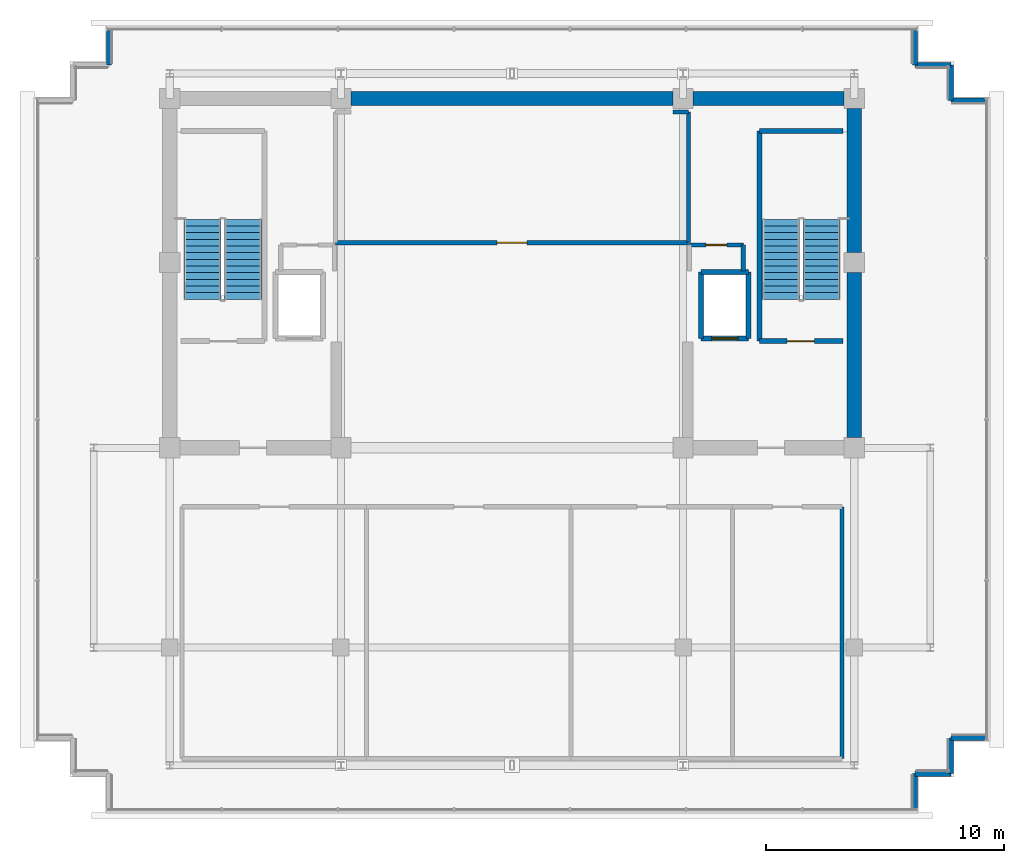
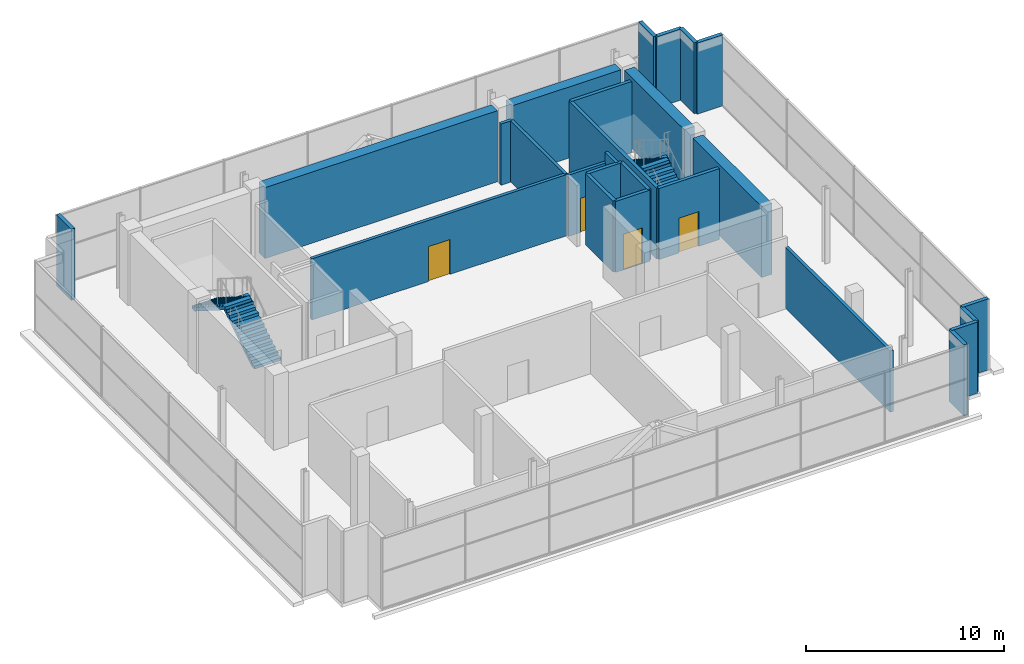
# One storey, part 25 of 28: 26 walls, 4 doors, 4 stair flights, 4 openings, 2 elements without a shape of their own.
"""IFC4 building model written with IfcOpenShell, lengths in metres."""

from ifc_helpers import new_model, si_unit, direction, frame, frame_2d, origin, place, context, subcontext, project, spatial, polyline, rectangle, outline, extrude, source, transform, mapped, material, layer, layer_set, type_object, element, fill, aggregate, save


model = new_model("IFC4")

# Units and contexts
model_context = context("Model", 3, precision=1e-05, world=origin(), true_north=direction((0.0, 1.0)))
body_context = subcontext(model_context, "Body", "Model", "MODEL_VIEW")
ifc_project = project(units=[si_unit("LENGTHUNIT", "METRE"), si_unit("AREAUNIT", "SQUARE_METRE"), si_unit("VOLUMEUNIT", "CUBIC_METRE"), si_unit("PLANEANGLEUNIT", "RADIAN"), si_unit("MASSUNIT", "GRAM", prefix="KILO")], contexts=[model_context])

# Site, building, storey
site_placement = place(None, origin())
site = spatial("IfcSite", under=ifc_project, at=site_placement, CompositionType="ELEMENT")
building_placement = place(site_placement, origin())
building = spatial("IfcBuilding", under=site, at=building_placement, Name="Zarnakvel Exchange Tower", CompositionType="ELEMENT")
storey_placement = place(building_placement, frame((0.0, 0.0, 276.199951171875)))
storey = spatial("IfcBuildingStorey", under=building, at=storey_placement, Name="Crown L78", CompositionType="ELEMENT", Elevation=276.199951171875)

# Walls
ifc_material_1 = material(Name="Concrete C50/60", Category="concrete")
ifc_layer_1 = layer(ifc_material_1, 0.60009765625)
ifc_layer_set_1 = layer_set([ifc_layer_1], Name="Concrete C50/60")
wall_type_1 = type_object("IfcWallType", Name="CW-C5", PredefinedType="SHEAR", material=ifc_layer_set_1)
wall_1_placement = place(storey_placement, frame((-6.77490234375, 13.5, 0.0), z_axis=(0.0, 0.0, 1.0), x_axis=(1.0, 0.0, 0.0)))
element("IfcWall", 1, at=wall_1_placement, inside=storey, type_object=wall_type_1, Name="Crown L78 Rear Core Shear Wall N2 (CW-C5)", PredefinedType="SHEAR", context=body_context, shape_type="SweptSolid", body=[
    extrude(rectangle(XDim=13.5498046875, YDim=0.60009765625, at=frame_2d((6.77490234375, 0.0))), origin(), (0.0, 0.0, 1.0), 4.380126953125),
])
wall_2_placement = place(storey_placement, frame((7.625, 13.5, 0.0), z_axis=(0.0, 0.0, 1.0), x_axis=(1.0, 0.0, 0.0)))
element("IfcWall", 2, at=wall_2_placement, inside=storey, type_object=wall_type_1, Name="Crown L78 Rear Core Shear Wall N3 (CW-C5)", PredefinedType="SHEAR", context=body_context, shape_type="SweptSolid", body=[
    extrude(rectangle(XDim=6.35009765625, YDim=0.60009765625, at=frame_2d((3.175048828125, 0.0))), origin(), (0.0, 0.0, 1.0), 4.380126953125),
])
wall_3_placement = place(storey_placement, frame((14.39990234375, -0.77490234375, 0.0), z_axis=(0.0, 0.0, 1.0), x_axis=(0.0, 1.0, 0.0)))
element("IfcWall", 3, at=wall_3_placement, inside=storey, type_object=wall_type_1, Name="Crown L78 Rear Core Shear Wall E1 (CW-C5)", PredefinedType="SHEAR", context=body_context, shape_type="SweptSolid", body=[
    extrude(rectangle(XDim=6.949951171875, YDim=0.60009765625, at=frame_2d((3.47509765625, 0.0))), origin(), (0.0, 0.0, 1.0), 4.380126953125),
])
wall_4_placement = place(storey_placement, frame((14.39990234375, 7.02490234375, 0.0), z_axis=(0.0, 0.0, 1.0), x_axis=(0.0, 1.0, 0.0)))
element("IfcWall", 4, at=wall_4_placement, inside=storey, type_object=wall_type_1, Name="Crown L78 Rear Core Shear Wall E2 (CW-C5)", PredefinedType="SHEAR", context=body_context, shape_type="SweptSolid", body=[
    extrude(rectangle(XDim=6.050048828125, YDim=0.60009765625, at=frame_2d((3.02490234375, 0.0))), origin(), (0.0, 0.0, 1.0), 4.380126953125),
])
ifc_material_2 = material(Name="Precast concrete C40/50", Category="concrete")
ifc_layer_2 = layer(ifc_material_2, 0.219970703125)
ifc_layer_set_2 = layer_set([ifc_layer_2], Name="Precast concrete C40/50")
wall_type_2 = type_object("IfcWallType", Name="EW-03", PredefinedType="SOLIDWALL", material=ifc_layer_set_2)
for number, where, z_axis, x_axis, name in (
    (5, (-16.9599609375, 16.409912109375, 0.0), (0.0, 0.0, 1.0), (0.0, -1.0, 0.0), "Crown L78 Exterior Precast Spandrel Wall EW-Crown L78-C05 (EW-03)"),
    (6, (16.9599609375, 14.909912109375, 0.0), (0.0, 0.0, 1.0), (0.0, 1.0, 0.0), "Crown L78 Exterior Precast Spandrel Wall EW-Crown L78-C07 (EW-03)"),
    (7, (18.4599609375, 14.909912109375, 0.0), (0.0, 0.0, 1.0), (-1.0, 0.0, 0.0), "Crown L78 Exterior Precast Spandrel Wall EW-Crown L78-C08 (EW-03)"),
    (8, (18.4599609375, 13.409912109375, 0.0), (0.0, 0.0, 1.0), (0.0, 1.0, 0.0), "Crown L78 Exterior Precast Spandrel Wall EW-Crown L78-C09 (EW-03)"),
    (9, (19.9599609375, 13.409912109375, 0.0), (0.0, 0.0, 1.0), (-1.0, 0.0, 0.0), "Crown L78 Exterior Precast Spandrel Wall EW-Crown L78-C10 (EW-03)"),
    (10, (18.4599609375, -13.409912109375, 0.0), (0.0, 0.0, 1.0), (1.0, 0.0, 0.0), "Crown L78 Exterior Precast Spandrel Wall EW-Crown L78-C12 (EW-03)"),
    (11, (18.4599609375, -14.909912109375, 0.0), (0.0, 0.0, 1.0), (0.0, 1.0, 0.0), "Crown L78 Exterior Precast Spandrel Wall EW-Crown L78-C13 (EW-03)"),
    (12, (16.9599609375, -14.909912109375, 0.0), (0.0, 0.0, 1.0), (1.0, 0.0, 0.0), "Crown L78 Exterior Precast Spandrel Wall EW-Crown L78-C14 (EW-03)"),
    (13, (16.9599609375, -16.409912109375, 0.0), (0.0, 0.0, 1.0), (0.0, 1.0, 0.0), "Crown L78 Exterior Precast Spandrel Wall EW-Crown L78-C15 (EW-03)"),
):
    element("IfcWall", number, at=place(storey_placement, frame(where, z_axis=z_axis, x_axis=x_axis)), inside=storey, type_object=wall_type_2, Name=name, PredefinedType="SOLIDWALL", context=body_context, shape_type="SweptSolid", body=[
        extrude(rectangle(XDim=1.5, YDim=0.219970703125, at=frame_2d((0.75, 0.0))), origin(), (0.0, 0.0, 1.0), 4.380126953125),
    ])

# Wall, opening, door
ifc_material_3 = material(Name="Fire-Rated Gypsum Stud Partition", Category="gypsum")
ifc_layer_3 = layer(ifc_material_3, 0.179931640625)
ifc_layer_set_3 = layer_set([ifc_layer_3], Name="Fire-Rated Gypsum Stud Partition")
wall_type_3 = type_object("IfcWallType", Name="PT-02", PredefinedType="PARTITIONING", material=ifc_layer_set_3)
wall_5_placement = place(storey_placement, frame((7.429931640625, 7.429931640625, 0.0), z_axis=(0.0, 0.0, 1.0), x_axis=(-1.0, 0.0, 0.0)))
wall_5 = element("IfcWall", 14, at=wall_5_placement, inside=storey, type_object=wall_type_3, Name="Crown L78 Partition Wall PWALL-Crown L78-007 (PT-02)", PredefinedType="PARTITIONING", context=body_context, shape_type="SweptSolid", body=[
    extrude(rectangle(XDim=14.85986328125, YDim=0.179931640625, at=frame_2d((7.429931640625, 0.0))), origin(), (0.0, 0.0, 1.0), 3.77001953125),
])
opening_1_placement = place(wall_5_placement, frame((6.804931640625, 0.0, 0.0)))
opening_1 = element("IfcOpeningElement", 15, at=opening_1_placement, cuts=wall_5, Name="Opening D-Crown L78-05", PredefinedType="OPENING", context=body_context, shape_type="SweptSolid", body=[
    extrude(rectangle(XDim=1.25, YDim=2.14990234375, at=frame_2d((0.625, 1.074951171875))), frame((0.0, 0.099853515625, 0.0), z_axis=(0.0, -1.0, 0.0), x_axis=(1.0, 0.0, 0.0)), (0.0, 0.0, 1.0), 0.199951171875),
])
ifc_material_4 = material(Name="Painted Galvanised Steel S355", Category="steel")
door_type_1 = type_object("IfcDoorType", Name="DT-06", OperationType="NOTDEFINED", PredefinedType="DOOR", material=ifc_material_4)
shared_shape_1 = source(origin(), body_context, "Body", "SweptSolid", [
    extrude(rectangle(XDim=1.25, YDim=2.14990234375, at=frame_2d((0.625, 1.074951171875))), frame((0.0, 0.02490234375, 0.0), z_axis=(0.0, -1.0, 0.0), x_axis=(1.0, 0.0, 0.0)), (0.0, 0.0, 1.0), 0.050048828125),
])
door_1_placement = place(opening_1_placement, origin())
door_1 = element("IfcDoor", 16, at=door_1_placement, inside=storey, type_object=door_type_1, Name="Crown L78 High-Rise Lift Machine Room Door D-Crown L78-05", OperationType="SINGLE_SWING_RIGHT", OverallHeight=2.14990234375, OverallWidth=1.25, PredefinedType="DOOR", context=body_context, shape_type="MappedRepresentation", body=[
    mapped(shared_shape_1, transform((0.0, 0.0, 0.0), x_axis=(1.0, 0.0, 0.0), y_axis=(0.0, 1.0, 0.0), z_axis=(0.0, 0.0, 1.0), scale=1.0)),
])
fill(opening_1, door_1)

# Walls
wall_6_placement = place(storey_placement, frame((6.77490234375, 12.929931640625, 0.0), z_axis=(0.0, 0.0, 1.0), x_axis=(1.0, 0.0, 0.0)))
element("IfcWall", 17, at=wall_6_placement, inside=storey, type_object=wall_type_3, Name="Crown L78 Partition Wall PWALL-Crown L78-009 (PT-02)", PredefinedType="PARTITIONING", context=body_context, shape_type="SweptSolid", body=[
    extrude(rectangle(XDim=0.655029296875, YDim=0.179931640625, at=frame_2d((0.32763671875, 0.0))), origin(), (0.0, 0.0, 1.0), 3.77001953125),
])
wall_7_placement = place(storey_placement, frame((7.429931640625, 12.929931640625, 0.0), z_axis=(0.0, 0.0, 1.0), x_axis=(0.0, -1.0, 0.0)))
element("IfcWall", 18, at=wall_7_placement, inside=storey, type_object=wall_type_3, Name="Crown L78 Partition Wall PWALL-Crown L78-011 (PT-02)", PredefinedType="PARTITIONING", context=body_context, shape_type="SweptSolid", body=[
    extrude(rectangle(XDim=5.5, YDim=0.179931640625, at=frame_2d((2.75, 0.0))), origin(), (0.0, 0.0, 1.0), 3.77001953125),
])

# Wall, opening, door
wall_8_placement = place(storey_placement, frame((7.469970703125, 7.330078125, 0.0), z_axis=(0.0, 0.0, 1.0), x_axis=(1.0, 0.0, 0.0)))
wall_8 = element("IfcWall", 19, at=wall_8_placement, inside=storey, type_object=wall_type_3, Name="Crown L78 Partition Wall PWALL-Crown L78-015 (PT-02)", PredefinedType="PARTITIONING", context=body_context, shape_type="SweptSolid", body=[
    extrude(rectangle(XDim=2.260009765625, YDim=0.179931640625, at=frame_2d((1.1298828125, 0.0))), origin(), (0.0, 0.0, 1.0), 3.77001953125),
])
opening_2_placement = place(wall_8_placement, frame((0.68994140625, 0.0, 0.0)))
opening_2 = element("IfcOpeningElement", 20, at=opening_2_placement, cuts=wall_8, Name="Opening D-Crown L78-11", PredefinedType="OPENING", context=body_context, shape_type="SweptSolid", body=[
    extrude(rectangle(XDim=0.8798828125, YDim=2.10009765625, at=frame_2d((0.43994140625, 1.050048828125))), frame((0.0, 0.099853515625, 0.0), z_axis=(0.0, -1.0, 0.0), x_axis=(1.0, 0.0, 0.0)), (0.0, 0.0, 1.0), 0.199951171875),
])
door_type_2 = type_object("IfcDoorType", Name="DT-08", OperationType="NOTDEFINED", PredefinedType="DOOR", material=ifc_material_4)
shared_shape_2 = source(origin(), body_context, "Body", "SweptSolid", [
    extrude(rectangle(XDim=0.8798828125, YDim=2.10009765625, at=frame_2d((0.43994140625, 1.050048828125))), frame((0.0, 0.02490234375, 0.0), z_axis=(0.0, -1.0, 0.0), x_axis=(1.0, 0.0, 0.0)), (0.0, 0.0, 1.0), 0.050048828125),
])
door_2_placement = place(opening_2_placement, origin())
door_2 = element("IfcDoor", 21, at=door_2_placement, inside=storey, type_object=door_type_2, Name="Crown L78 Telecom Riser Door D-Crown L78-11", OperationType="SINGLE_SWING_RIGHT", OverallHeight=2.10009765625, OverallWidth=0.8798828125, PredefinedType="DOOR", context=body_context, shape_type="MappedRepresentation", body=[
    mapped(shared_shape_2, transform((0.0, 0.0, 0.0), x_axis=(1.0, 0.0, 0.0), y_axis=(0.0, 1.0, 0.0), z_axis=(0.0, 0.0, 1.0), scale=1.0)),
])
fill(opening_2, door_2)

# Walls
wall_9_placement = place(storey_placement, frame((9.72998046875, 7.330078125, 0.0), z_axis=(0.0, 0.0, 1.0), x_axis=(0.0, -1.0, 0.0)))
element("IfcWall", 22, at=wall_9_placement, inside=storey, type_object=wall_type_3, Name="Crown L78 Partition Wall PWALL-Crown L78-017 (PT-02)", PredefinedType="PARTITIONING", context=body_context, shape_type="SweptSolid", body=[
    extrude(rectangle(XDim=1.090087890625, YDim=0.179931640625, at=frame_2d((0.544921875, 0.0))), origin(), (0.0, 0.0, 1.0), 4.380126953125),
])
wall_10_placement = place(storey_placement, frame((13.8798828125, -3.679931640625, 0.0), z_axis=(0.0, 0.0, 1.0), x_axis=(0.0, -1.0, 0.0)))
element("IfcWall", 23, at=wall_10_placement, inside=storey, type_object=wall_type_3, Name="Crown L78 Partition Wall PWALL-Crown L78-030 (PT-02)", PredefinedType="PARTITIONING", context=body_context, shape_type="SweptSolid", body=[
    extrude(rectangle(XDim=10.60009765625, YDim=0.179931640625, at=frame_2d((5.300048828125, 0.0))), origin(), (0.0, 0.0, 1.0), 3.77001953125),
])

# Wall, opening, door
ifc_material_5 = material(Name="Concrete C40/50", Category="concrete")
ifc_layer_4 = layer(ifc_material_5, 0.199951171875)
ifc_layer_set_4 = layer_set([ifc_layer_4], Name="Concrete C40/50")
wall_type_4 = type_object("IfcWallType", Name="SW-01", PredefinedType="SOLIDWALL", material=ifc_layer_set_4)
wall_11_placement = place(storey_placement, frame((9.949951171875, 3.39990234375, 0.0), z_axis=(0.0, 0.0, 1.0), x_axis=(-1.0, 0.0, 0.0)))
wall_11 = element("IfcWall", 24, at=wall_11_placement, inside=storey, type_object=wall_type_4, Name="Crown L78 FL-02 Hoistway Wall South", PredefinedType="SOLIDWALL", context=body_context, shape_type="SweptSolid", body=[
    extrude(rectangle(XDim=2.0, YDim=0.199951171875, at=frame_2d((1.0, 0.0))), origin(), (0.0, 0.0, 1.0), 4.380126953125),
])
opening_3_placement = place(wall_11_placement, frame((0.449951171875, 0.0, 0.0)))
opening_3 = element("IfcOpeningElement", 25, at=opening_3_placement, cuts=wall_11, Name="Opening LD-FL-02-Crown L78", PredefinedType="OPENING", context=body_context, shape_type="SweptSolid", body=[
    extrude(rectangle(XDim=1.10009765625, YDim=2.199951171875, at=frame_2d((0.550048828125, 1.10009765625))), frame((0.0, 0.10986328125, 0.0), z_axis=(0.0, -1.0, 0.0), x_axis=(1.0, 0.0, 0.0)), (0.0, 0.0, 1.0), 0.219970703125),
])
ifc_material_6 = material(Name="Brushed Stainless Steel", Category="steel")
door_type_3 = type_object("IfcDoorType", Name="LDT-01", OperationType="NOTDEFINED", PredefinedType="DOOR", material=ifc_material_6)
shared_shape_3 = source(origin(), body_context, "Body", "SweptSolid", [
    extrude(rectangle(XDim=1.10009765625, YDim=2.199951171875, at=frame_2d((0.550048828125, 1.10009765625))), frame((0.0, 0.02490234375, 0.0), z_axis=(0.0, -1.0, 0.0), x_axis=(1.0, 0.0, 0.0)), (0.0, 0.0, 1.0), 0.050048828125),
])
door_3_placement = place(opening_3_placement, origin())
door_3 = element("IfcDoor", 26, at=door_3_placement, inside=storey, type_object=door_type_3, Name="Crown L78 FL-02 Lift Landing Door LD-FL-02-Crown L78", OperationType="DOUBLE_DOOR_SLIDING", OverallHeight=2.199951171875, OverallWidth=1.10009765625, PredefinedType="DOOR", context=body_context, shape_type="MappedRepresentation", body=[
    mapped(shared_shape_3, transform((0.0, 0.0, 0.0), x_axis=(1.0, 0.0, 0.0), y_axis=(0.0, 1.0, 0.0), z_axis=(0.0, 0.0, 1.0), scale=1.0)),
])
fill(opening_3, door_3)

# Walls
wall_12_placement = place(storey_placement, frame((7.949951171875, 6.199951171875, 0.0), z_axis=(0.0, 0.0, 1.0), x_axis=(1.0, 0.0, 0.0)))
element("IfcWall", 27, at=wall_12_placement, inside=storey, type_object=wall_type_4, Name="Crown L78 FL-02 Hoistway Wall North", PredefinedType="SOLIDWALL", context=body_context, shape_type="SweptSolid", body=[
    extrude(rectangle(XDim=2.0, YDim=0.199951171875, at=frame_2d((1.0, 0.0))), origin(), (0.0, 0.0, 1.0), 4.380126953125),
])
for number, where, z_axis, x_axis, name in (
    (28, (7.949951171875, 3.39990234375, 0.0), (0.0, 0.0, 1.0), (0.0, 1.0, 0.0), "Crown L78 FL-02 Hoistway Wall West"),
    (29, (9.949951171875, 6.199951171875, 0.0), (0.0, 0.0, 1.0), (0.0, -1.0, 0.0), "Crown L78 FL-02 Hoistway Wall East"),
):
    element("IfcWall", number, at=place(storey_placement, frame(where, z_axis=z_axis, x_axis=x_axis)), inside=storey, type_object=wall_type_4, Name=name, PredefinedType="SOLIDWALL", context=body_context, shape_type="SweptSolid", body=[
        extrude(rectangle(XDim=2.800048828125, YDim=0.199951171875, at=frame_2d((1.39990234375, 0.0))), origin(), (0.0, 0.0, 1.0), 4.380126953125),
    ])

# Wall, opening, door
ifc_layer_5 = layer(ifc_material_5, 0.199951171875)
ifc_layer_set_5 = layer_set([ifc_layer_5], Name="Concrete C40/50")
wall_type_5 = type_object("IfcWallType", Name="SW-02", PredefinedType="SOLIDWALL", material=ifc_layer_set_5)
wall_13_placement = place(storey_placement, frame((13.929931640625, 3.2900390625, 0.0), z_axis=(0.0, 0.0, 1.0), x_axis=(-1.0, 0.0, 0.0)))
wall_13 = element("IfcWall", 30, at=wall_13_placement, inside=storey, type_object=wall_type_5, Name="Crown L78 Stairwell Core Wall PWALL-Crown L78-004 (SW-02)", PredefinedType="SOLIDWALL", context=body_context, shape_type="SweptSolid", body=[
    extrude(rectangle(XDim=3.52001953125, YDim=0.199951171875, at=frame_2d((1.760009765625, 0.0))), origin(), (0.0, 0.0, 1.0), 4.380126953125),
])
opening_4_placement = place(wall_13_placement, frame((1.205078125, 0.0, 0.0)))
opening_4 = element("IfcOpeningElement", 31, at=opening_4_placement, cuts=wall_13, Name="Opening D-Crown L78-02", PredefinedType="OPENING", context=body_context, shape_type="SweptSolid", body=[
    extrude(rectangle(XDim=1.14990234375, YDim=2.14990234375, at=frame_2d((0.574951171875, 1.074951171875))), frame((0.0, 0.10986328125, 0.0), z_axis=(0.0, -1.0, 0.0), x_axis=(1.0, 0.0, 0.0)), (0.0, 0.0, 1.0), 0.219970703125),
])
door_type_4 = type_object("IfcDoorType", Name="DT-04", OperationType="NOTDEFINED", PredefinedType="DOOR", material=ifc_material_4)
shared_shape_4 = source(origin(), body_context, "Body", "SweptSolid", [
    extrude(rectangle(XDim=1.14990234375, YDim=2.14990234375, at=frame_2d((0.574951171875, 1.074951171875))), frame((0.0, 0.02490234375, 0.0), z_axis=(0.0, -1.0, 0.0), x_axis=(1.0, 0.0, 0.0)), (0.0, 0.0, 1.0), 0.050048828125),
])
door_4_placement = place(opening_4_placement, origin())
door_4 = element("IfcDoor", 32, at=door_4_placement, inside=storey, type_object=door_type_4, Name="Crown L78 Stairwell ST-02 Door D-Crown L78-02", OperationType="SINGLE_SWING_LEFT", OverallHeight=2.14990234375, OverallWidth=1.14990234375, PredefinedType="DOOR", context=body_context, shape_type="MappedRepresentation", body=[
    mapped(shared_shape_4, transform((0.0, 0.0, 0.0), x_axis=(1.0, 0.0, 0.0), y_axis=(0.0, 1.0, 0.0), z_axis=(0.0, 0.0, 1.0), scale=1.0)),
])
fill(opening_4, door_4)

# Walls
wall_14_placement = place(storey_placement, frame((10.409912109375, 12.1298828125, 0.0), z_axis=(0.0, 0.0, 1.0), x_axis=(1.0, 0.0, 0.0)))
element("IfcWall", 33, at=wall_14_placement, inside=storey, type_object=wall_type_5, Name="Crown L78 Stairwell Core Wall PWALL-Crown L78-005 (SW-02)", PredefinedType="SOLIDWALL", context=body_context, shape_type="SweptSolid", body=[
    extrude(rectangle(XDim=3.52001953125, YDim=0.199951171875, at=frame_2d((1.760009765625, 0.0))), origin(), (0.0, 0.0, 1.0), 4.380126953125),
])
wall_15_placement = place(storey_placement, frame((10.409912109375, 3.2900390625, 0.0), z_axis=(0.0, 0.0, 1.0), x_axis=(0.0, 1.0, 0.0)))
element("IfcWall", 34, at=wall_15_placement, inside=storey, type_object=wall_type_5, Name="Crown L78 Stairwell Core Wall PWALL-Crown L78-006 (SW-02)", PredefinedType="SOLIDWALL", context=body_context, shape_type="SweptSolid", body=[
    extrude(rectangle(XDim=8.83984375, YDim=0.199951171875, at=frame_2d((4.419921875, 0.0))), origin(), (0.0, 0.0, 1.0), 4.380126953125),
])

# Stair, stair flights
stair_type = type_object("IfcStairType", Name="STR-01", PredefinedType="HALF_TURN_STAIR", material=ifc_material_5)
stair_1_placement = place(storey_placement, origin())
stair_1 = element("IfcStair", 35, at=stair_1_placement, inside=storey, type_object=stair_type, Name="Crown L78 Protected Core Exit Stair ST-01", PredefinedType="HALF_TURN_STAIR")
stair_flight_type = type_object("IfcStairFlightType", Name="FLT-01", PredefinedType="STRAIGHT", material=ifc_material_5)
stair_flight_1_placement = place(storey_placement, frame((-11.31494140625, 5.050048828125, 0.0), z_axis=(0.0, 0.0, 1.0), x_axis=(0.0, 1.0, 0.0)))
stair_flight_1 = element("IfcStairFlight", 36, at=stair_flight_1_placement, type_object=stair_flight_type, Name="ST-01 flight 1", NumberOfRisers=13, NumberOfTreads=12, PredefinedType="STRAIGHT", RiserHeight=0.176923077, TreadLength=0.28, context=body_context, shape_type="SweptSolid", body=[
    extrude(outline(polyline([(0.0, 0.0), (0.0, 0.177001953125), (0.280029296875, 0.177001953125), (0.280029296875, 0.353759765625), (0.56005859375, 0.353759765625), (0.56005859375, 0.53076171875), (0.840087890625, 0.53076171875), (0.840087890625, 0.707763671875), (1.1201171875, 0.707763671875), (1.1201171875, 0.884521484375), (1.39990234375, 0.884521484375), (1.39990234375, 1.0615234375), (1.679931640625, 1.0615234375), (1.679931640625, 1.238525390625), (1.9599609375, 1.238525390625), (1.9599609375, 1.415283203125), (2.239990234375, 1.415283203125), (2.239990234375, 1.59228515625), (2.52001953125, 1.59228515625), (2.52001953125, 1.769287109375), (2.800048828125, 1.769287109375), (2.800048828125, 1.946044921875), (3.080078125, 1.946044921875), (3.080078125, 2.123046875), (3.360107421875, 2.123046875), (3.360107421875, 2.300048828125), (3.360107421875, 1.94580078125), (0.280517578125, 0.0), (0.0, 0.0)])), frame((0.0, 0.77490234375, 0.0), z_axis=(0.0, -1.0, 0.0), x_axis=(1.0, 0.0, 0.0)), (0.0, 0.0, 1.0), 1.550048828125),
])
stair_flight_2_placement = place(storey_placement, frame((-13.02490234375, 8.409912109375, 2.300048828125), z_axis=(0.0, 0.0, 1.0), x_axis=(0.0, -1.0, 0.0)))
stair_flight_2 = element("IfcStairFlight", 37, at=stair_flight_2_placement, type_object=stair_flight_type, Name="ST-01 flight 2", NumberOfRisers=13, NumberOfTreads=12, PredefinedType="STRAIGHT", RiserHeight=0.176923077, TreadLength=0.28, context=body_context, shape_type="SweptSolid", body=[
    extrude(outline(polyline([(0.0, 0.0), (0.0, 0.177001953125), (0.280029296875, 0.177001953125), (0.280029296875, 0.353759765625), (0.56005859375, 0.353759765625), (0.56005859375, 0.53076171875), (0.840087890625, 0.53076171875), (0.840087890625, 0.707763671875), (1.1201171875, 0.707763671875), (1.1201171875, 0.884521484375), (1.39990234375, 0.884521484375), (1.39990234375, 1.0615234375), (1.679931640625, 1.0615234375), (1.679931640625, 1.238525390625), (1.9599609375, 1.238525390625), (1.9599609375, 1.415283203125), (2.239990234375, 1.415283203125), (2.239990234375, 1.59228515625), (2.52001953125, 1.59228515625), (2.52001953125, 1.769287109375), (2.800048828125, 1.769287109375), (2.800048828125, 1.946044921875), (3.080078125, 1.946044921875), (3.080078125, 2.123046875), (3.360107421875, 2.123046875), (3.360107421875, 2.300048828125), (3.360107421875, 1.94580078125), (0.280517578125, 0.0), (0.0, 0.0)])), frame((0.0, 0.77490234375, 0.0), z_axis=(0.0, -1.0, 0.0), x_axis=(1.0, 0.0, 0.0)), (0.0, 0.0, 1.0), 1.550048828125),
])
aggregate(stair_1, [stair_flight_1, stair_flight_2])

stair_2_placement = place(storey_placement, origin())
stair_2 = element("IfcStair", 38, at=stair_2_placement, inside=storey, type_object=stair_type, Name="Crown L78 Protected Core Exit Stair ST-02", PredefinedType="HALF_TURN_STAIR")
stair_flight_3_placement = place(storey_placement, frame((13.02490234375, 5.050048828125, 0.0), z_axis=(0.0, 0.0, 1.0), x_axis=(0.0, 1.0, 0.0)))
stair_flight_3 = element("IfcStairFlight", 39, at=stair_flight_3_placement, type_object=stair_flight_type, Name="ST-02 flight 1", NumberOfRisers=13, NumberOfTreads=12, PredefinedType="STRAIGHT", RiserHeight=0.176923077, TreadLength=0.28, context=body_context, shape_type="SweptSolid", body=[
    extrude(outline(polyline([(0.0, 0.0), (0.0, 0.177001953125), (0.280029296875, 0.177001953125), (0.280029296875, 0.353759765625), (0.56005859375, 0.353759765625), (0.56005859375, 0.53076171875), (0.840087890625, 0.53076171875), (0.840087890625, 0.707763671875), (1.1201171875, 0.707763671875), (1.1201171875, 0.884521484375), (1.39990234375, 0.884521484375), (1.39990234375, 1.0615234375), (1.679931640625, 1.0615234375), (1.679931640625, 1.238525390625), (1.9599609375, 1.238525390625), (1.9599609375, 1.415283203125), (2.239990234375, 1.415283203125), (2.239990234375, 1.59228515625), (2.52001953125, 1.59228515625), (2.52001953125, 1.769287109375), (2.800048828125, 1.769287109375), (2.800048828125, 1.946044921875), (3.080078125, 1.946044921875), (3.080078125, 2.123046875), (3.360107421875, 2.123046875), (3.360107421875, 2.300048828125), (3.360107421875, 1.94580078125), (0.280517578125, 0.0), (0.0, 0.0)])), frame((0.0, 0.77490234375, 0.0), z_axis=(0.0, -1.0, 0.0), x_axis=(1.0, 0.0, 0.0)), (0.0, 0.0, 1.0), 1.550048828125),
])
stair_flight_4_placement = place(storey_placement, frame((11.31494140625, 8.409912109375, 2.300048828125), z_axis=(0.0, 0.0, 1.0), x_axis=(0.0, -1.0, 0.0)))
stair_flight_4 = element("IfcStairFlight", 40, at=stair_flight_4_placement, type_object=stair_flight_type, Name="ST-02 flight 2", NumberOfRisers=13, NumberOfTreads=12, PredefinedType="STRAIGHT", RiserHeight=0.176923077, TreadLength=0.28, context=body_context, shape_type="SweptSolid", body=[
    extrude(outline(polyline([(0.0, 0.0), (0.0, 0.177001953125), (0.280029296875, 0.177001953125), (0.280029296875, 0.353759765625), (0.56005859375, 0.353759765625), (0.56005859375, 0.53076171875), (0.840087890625, 0.53076171875), (0.840087890625, 0.707763671875), (1.1201171875, 0.707763671875), (1.1201171875, 0.884521484375), (1.39990234375, 0.884521484375), (1.39990234375, 1.0615234375), (1.679931640625, 1.0615234375), (1.679931640625, 1.238525390625), (1.9599609375, 1.238525390625), (1.9599609375, 1.415283203125), (2.239990234375, 1.415283203125), (2.239990234375, 1.59228515625), (2.52001953125, 1.59228515625), (2.52001953125, 1.769287109375), (2.800048828125, 1.769287109375), (2.800048828125, 1.946044921875), (3.080078125, 1.946044921875), (3.080078125, 2.123046875), (3.360107421875, 2.123046875), (3.360107421875, 2.300048828125), (3.360107421875, 1.94580078125), (0.280517578125, 0.0), (0.0, 0.0)])), frame((0.0, 0.77490234375, 0.0), z_axis=(0.0, -1.0, 0.0), x_axis=(1.0, 0.0, 0.0)), (0.0, 0.0, 1.0), 1.550048828125),
])
aggregate(stair_2, [stair_flight_3, stair_flight_4])

save(model, "model.ifc")
